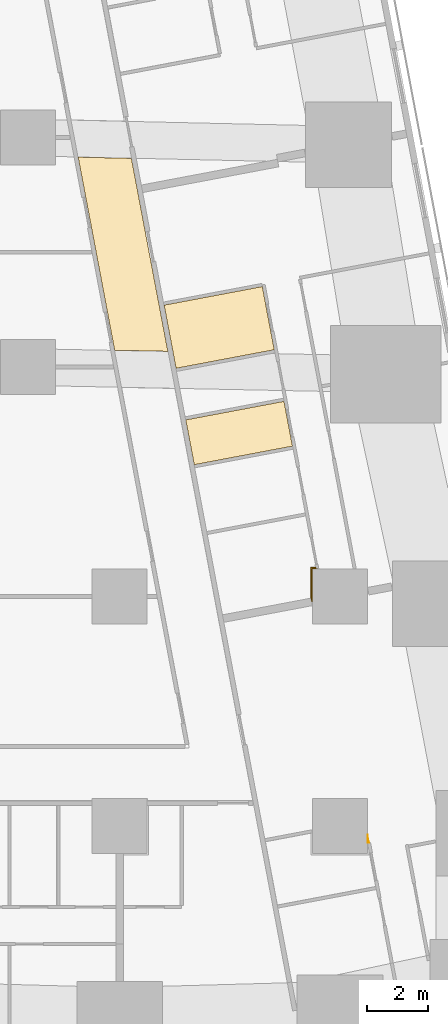
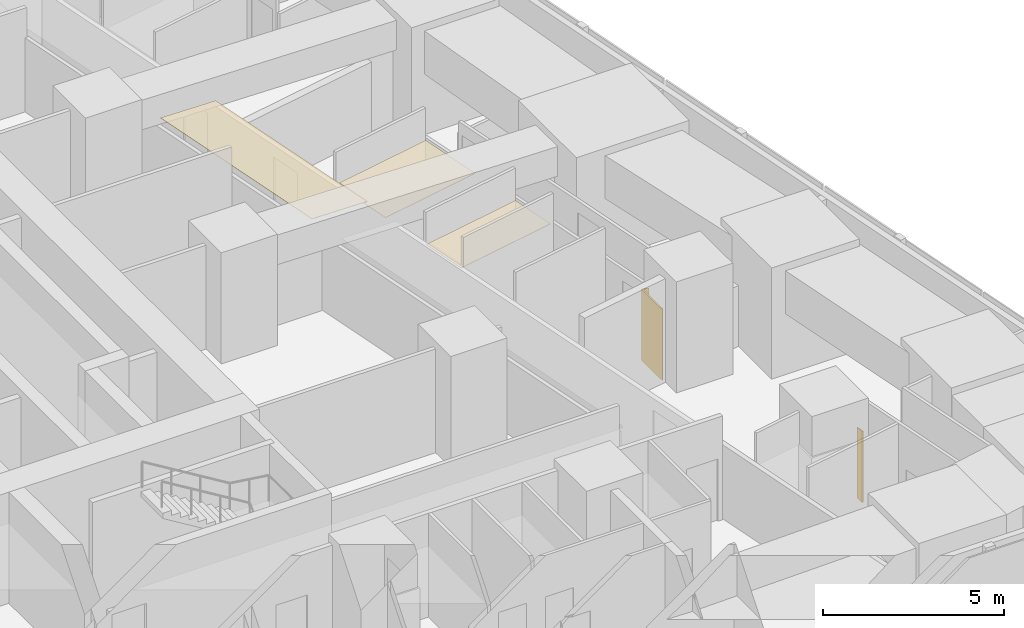
# One storey, part 17 of 18: 5 coverings.
"""IFC4 building model written with IfcOpenShell, lengths in metres."""

from ifc_helpers import new_model, si_unit, direction, frame, origin, place, context, subcontext, project, spatial, polyline, outline, extrude, material, layer, layer_set, type_object, element, save


model = new_model("IFC4")

# Units and contexts
model_context = context("Model", 3, precision=1e-05, world=origin(), true_north=direction((0.0, 1.0)))
body_context = subcontext(model_context, "Body", "Model", "MODEL_VIEW")
ifc_project = project(units=[si_unit("LENGTHUNIT", "METRE"), si_unit("AREAUNIT", "SQUARE_METRE"), si_unit("VOLUMEUNIT", "CUBIC_METRE"), si_unit("PLANEANGLEUNIT", "RADIAN"), si_unit("MASSUNIT", "GRAM", prefix="KILO")], contexts=[model_context])

# Site, building, storey
site_placement = place(None, origin())
site = spatial("IfcSite", under=ifc_project, at=site_placement, CompositionType="ELEMENT")
building_placement = place(site_placement, origin())
building = spatial("IfcBuilding", under=site, at=building_placement, Name="Sheger Commons Tower", CompositionType="ELEMENT")
storey_placement = place(building_placement, frame((0.0, 0.0, 38.75)))
storey = spatial("IfcBuildingStorey", under=building, at=storey_placement, Name="L09", CompositionType="ELEMENT", Elevation=38.75)

# Coverings
ifc_material_1 = material(Name="Moisture-resistant gypsum plasterboard 15 mm on a suspended galvanised steel grid", Category="steel")
ifc_layer_1 = layer(ifc_material_1, 0.014892578125)
ifc_layer_set_1 = layer_set([ifc_layer_1], Name="MOISTURE-RESISTANT CEILING 15")
covering_type_1 = type_object("IfcCoveringType", Name="MOISTURE-RESISTANT CEILING 15", PredefinedType="CEILING", material=ifc_layer_set_1)
covering_1_placement = place(storey_placement, frame((0.0, 0.0, 2.39990234375)))
element("IfcCovering", 1, at=covering_1_placement, inside=storey, type_object=covering_type_1, Name="L09-09.B1 ceiling", PredefinedType="CEILING", context=body_context, shape_type="SweptSolid", body=[
    extrude(outline(polyline([(37.843994140625, 22.4580078125), (41.052001953125, 23.06396484375), (40.662109375, 25.1279296875), (37.4541015625, 24.52197265625), (37.843994140625, 22.4580078125)])), origin(), (0.0, 0.0, 1.0), 0.01513671875),
])
covering_2_placement = place(storey_placement, frame((0.0, 0.0, 2.39990234375)))
element("IfcCovering", 2, at=covering_2_placement, inside=storey, type_object=covering_type_1, Name="L09-09.B2 ceiling", PredefinedType="CEILING", context=body_context, shape_type="SweptSolid", body=[
    extrude(outline(polyline([(38.43896484375, 19.30810546875), (41.64697265625, 19.9140625), (41.3701171875, 21.3779296875), (38.162109375, 20.77197265625), (38.43896484375, 19.30810546875)])), origin(), (0.0, 0.0, 1.0), 0.01513671875),
])
ifc_material_2 = material(Name="Gypsum plasterboard 15 mm on a suspended steel grid", Category="steel")
ifc_layer_2 = layer(ifc_material_2, 0.014892578125)
ifc_layer_set_2 = layer_set([ifc_layer_2], Name="SUSPENDED CEILING 15")
covering_type_2 = type_object("IfcCoveringType", Name="SUSPENDED CEILING 15", PredefinedType="CEILING", material=ifc_layer_set_2)
covering_3_placement = place(storey_placement, frame((0.0, 0.0, 2.699951171875)))
element("IfcCovering", 3, at=covering_3_placement, inside=storey, type_object=covering_type_2, Name="L09-CO ceiling", PredefinedType="CEILING", context=body_context, shape_type="SweptSolid", body=[
    extrude(outline(polyline([(37.575927734375, 23.011962890625), (36.385009765625, 29.318115234375), (34.64501953125, 29.35791015625), (35.8369140625, 23.048095703125), (37.575927734375, 23.011962890625)])), origin(), (0.0, 0.0, 1.0), 0.01513671875),
])
ifc_material_3 = material(Name="Moisture-resistant gypsum board 12.5 mm on 25 mm treated timber battens, tanked and tiled", Category="wood")
ifc_layer_3 = layer(ifc_material_3, 0.050048828125)
ifc_layer_set_3 = layer_set([ifc_layer_3], Name="WET-ROOM COLUMN LINING")
covering_type_3 = type_object("IfcCoveringType", Name="WET-ROOM COLUMN LINING", PredefinedType="CLADDING", material=ifc_layer_set_3)
covering_4_placement = place(storey_placement, origin())
element("IfcCovering", 4, at=covering_4_placement, inside=storey, type_object=covering_type_3, Name="Bathroom column lining C8 L09", PredefinedType="CLADDING", context=body_context, shape_type="SweptSolid", body=[
    extrude(outline(polyline([(44.10009765625, 7.220947265625), (44.14892578125, 6.9599609375), (44.10009765625, 6.950927734375), (44.10009765625, 7.220947265625)])), origin(), (0.0, 0.0, 1.0), 2.39990234375),
])
covering_5_placement = place(storey_placement, origin())
element("IfcCovering", 5, at=covering_5_placement, inside=storey, type_object=covering_type_3, Name="Store and laundry column lining C8 L09", PredefinedType="CLADDING", context=body_context, shape_type="SweptSolid", body=[
    extrude(outline(polyline([(42.40087890625, 15.949951171875), (42.409912109375, 15.90087890625), (42.458984375, 15.909912109375), (42.4609375, 15.89990234375), (42.300048828125, 15.89990234375), (42.300048828125, 14.830078125), (42.27587890625, 14.824951171875), (42.2529296875, 14.947998046875), (42.25, 14.947021484375), (42.25, 15.949951171875), (42.40087890625, 15.949951171875)])), origin(), (0.0, 0.0, 1.0), 2.39990234375),
])

save(model, "model.ifc")
